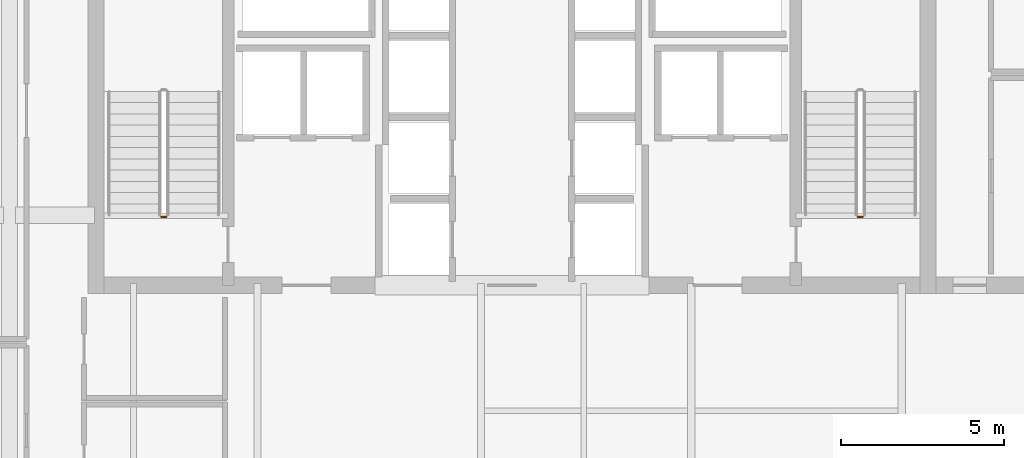
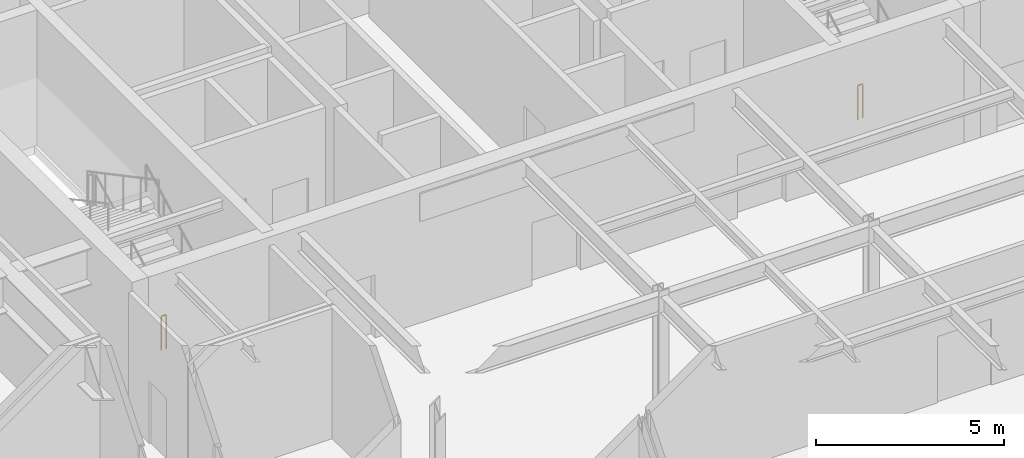
# One storey, part 8 of 10: 2 railings.
"""IFC4 building model written with IfcOpenShell, lengths in metres."""

from ifc_helpers import new_model, si_unit, direction, frame, origin, origin_2d, place, context, subcontext, project, spatial, circle, extrude, material, type_object, element, save


model = new_model("IFC4")

# Units and contexts
model_context = context("Model", 3, precision=1e-05, world=origin(), true_north=direction((0.0, 1.0)))
body_context = subcontext(model_context, "Body", "Model", "MODEL_VIEW")
ifc_project = project(units=[si_unit("LENGTHUNIT", "METRE"), si_unit("AREAUNIT", "SQUARE_METRE"), si_unit("VOLUMEUNIT", "CUBIC_METRE"), si_unit("PLANEANGLEUNIT", "RADIAN"), si_unit("MASSUNIT", "GRAM", prefix="KILO")], contexts=[model_context])

# Site, building, storey
site_placement = place(None, origin())
site = spatial("IfcSite", under=ifc_project, at=site_placement, CompositionType="ELEMENT")
building_placement = place(site_placement, origin())
building = spatial("IfcBuilding", under=site, at=building_placement, Name="Tolvann Quenvar Hotel", CompositionType="ELEMENT")
storey_placement = place(building_placement, frame((0.0, 0.0, 205.300048828125)))
storey = spatial("IfcBuildingStorey", under=building, at=storey_placement, Name="L54", CompositionType="ELEMENT", Elevation=205.300048828125)

# Railings
ifc_material = material(Name="Brushed 316 stainless steel balustrade and handrail", Category="steel")
railing_type = type_object("IfcRailingType", Name="GUARDRAIL", PredefinedType="GUARDRAIL", material=ifc_material)
for number, where, name in (
    (1, (12.39990234375, 33.949951171875, 0.0), "L54 ST-C1 stair guard 4"),
    (2, (33.75, 33.949951171875, 0.0), "L54 ST-C2 stair guard 4"),
):
    element("IfcRailing", number, at=place(storey_placement, frame(where)), inside=storey, type_object=railing_type, Name=name, PredefinedType="GUARDRAIL", context=body_context, shape_type="SweptSolid", body=[
        extrude(circle(Radius=0.02392578125, at=origin_2d()), frame((0.0, 0.0, 1.09619140625), z_axis=(-1.0, 0.0, 0.0), x_axis=(0.0, -1.0, 0.0)), (0.0, 0.0, 1.0), 0.14990234375),
        extrude(circle(Radius=0.02099609375, at=origin_2d()), origin(), (0.0, 0.0, 1.0), 1.072021484375),
        extrude(circle(Radius=0.02099609375, at=origin_2d()), frame((-0.14990234375, 0.0, 0.0)), (0.0, 0.0, 1.0), 1.072021484375),
    ])

save(model, "model.ifc")
